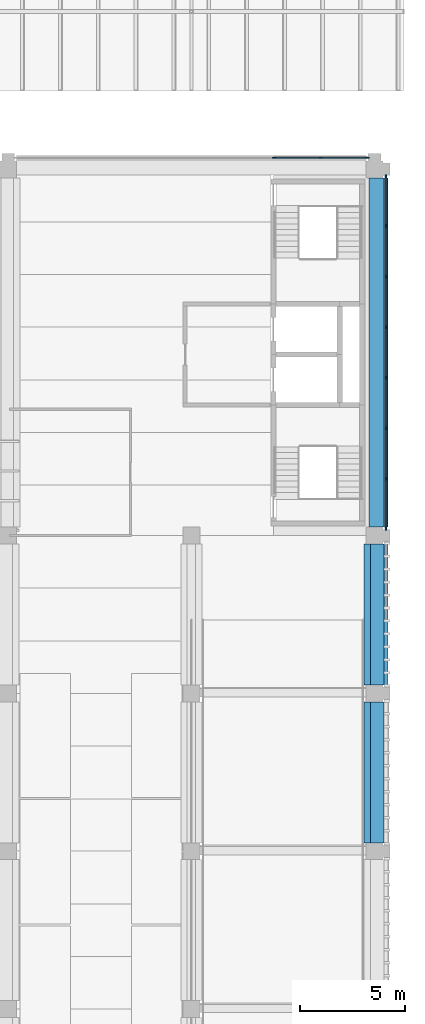
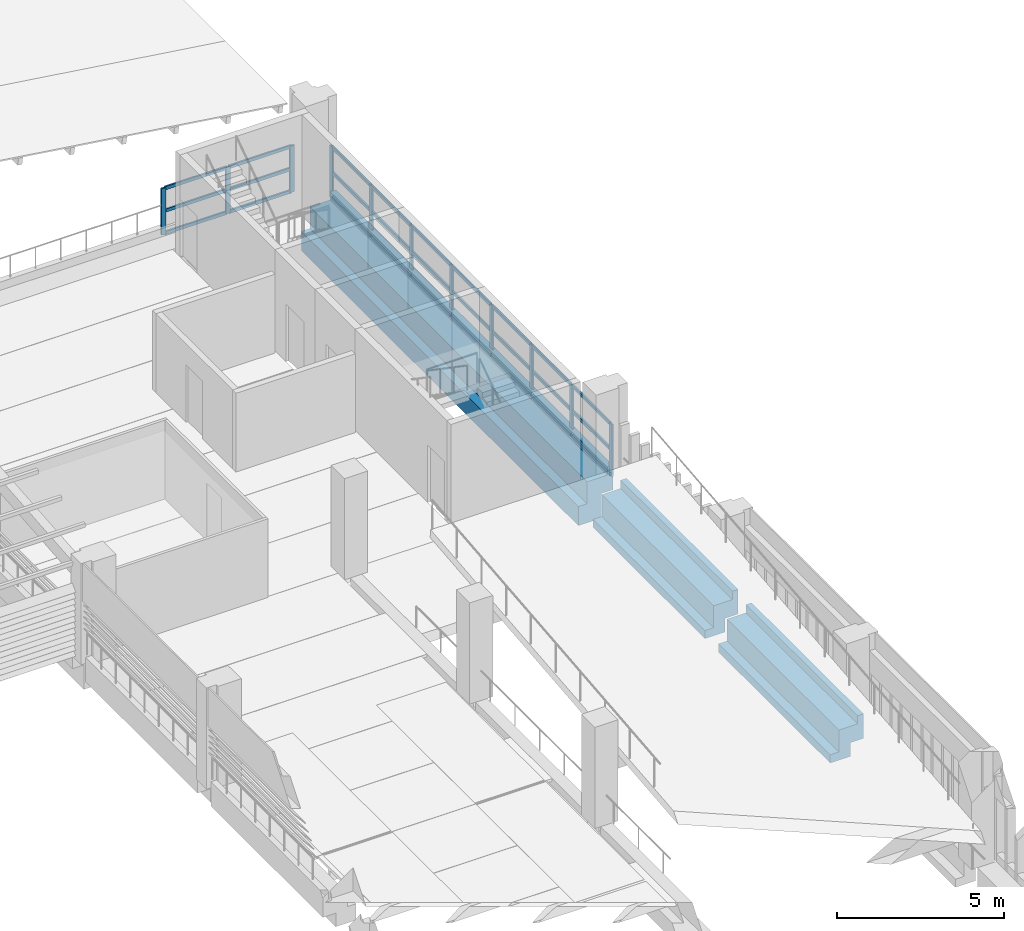
# One storey, part 15 of 52: 38 members, 3 beams, 2 elements without a shape of their own.
"""IFC4 building model written with IfcOpenShell, lengths in metres."""

from ifc_helpers import new_model, si_unit, direction, frame, origin, origin_2d, place, context, subcontext, project, spatial, polyline, rectangle, outline, extrude, material, layer, layer_set, material_profile, profile_set, type_object, element, aggregate, save


model = new_model("IFC4")

# Units and contexts
model_context = context("Model", 3, precision=1e-05, world=origin(), true_north=direction((0.0, 1.0)))
body_context = subcontext(model_context, "Body", "Model", "MODEL_VIEW")
ifc_project = project(units=[si_unit("LENGTHUNIT", "METRE"), si_unit("AREAUNIT", "SQUARE_METRE"), si_unit("VOLUMEUNIT", "CUBIC_METRE"), si_unit("PLANEANGLEUNIT", "RADIAN"), si_unit("MASSUNIT", "GRAM", prefix="KILO")], contexts=[model_context])

# Site, building, storey
site_placement = place(None, origin())
site = spatial("IfcSite", under=ifc_project, at=site_placement, CompositionType="ELEMENT")
building_placement = place(site_placement, origin())
building = spatial("IfcBuilding", under=site, at=building_placement, Name="Cour d'Honneur Mobility Palace", CompositionType="ELEMENT")
storey_placement = place(building_placement, frame((0.0, 0.0, 23.0)))
storey = spatial("IfcBuildingStorey", under=building, at=storey_placement, Name="L06", CompositionType="ELEMENT", Elevation=23.0)

# Curtain wall, members
ifc_material_1 = material(Name="Aluminium and glass", Category="aluminium")
ifc_layer = layer(ifc_material_1, 0.10009765625)
ifc_layer_set = layer_set([ifc_layer], Name="Aluminium and glass")
curtain_wall_type = type_object("IfcCurtainWallType", Name="Curtain wall run", PredefinedType="NOTDEFINED", material=ifc_layer_set)
curtain_wall_1_placement = place(storey_placement, origin())
curtain_wall_1 = element("IfcCurtainWall", 1, at=curtain_wall_1_placement, inside=storey, type_object=curtain_wall_type, Name="Curtain wall CW-93", PredefinedType="NOTDEFINED")
ifc_material_2 = material(Name="Aluminium", Category="aluminium")
ifc_material_profile_1 = material_profile(ifc_material_2, rectangle(XDim=0.06005859375, YDim=0.159912109375, at=origin_2d()), Name="Curtain wall mullion")
ifc_profile_set_1 = profile_set([ifc_material_profile_1], Name="Aluminium")
member_type_1 = type_object("IfcMemberType", Name="Curtain wall mullion", PredefinedType="MULLION", material=ifc_profile_set_1)
member_1_placement = place(storey_placement, frame((162.85009765625, 45.330078125, 0.0), z_axis=(0.0, 0.0, 1.0), x_axis=(-1.0, 0.0, 0.0)))
member_1 = element("IfcMember", 2, at=member_1_placement, type_object=member_type_1, Name="CW-93 mullion 1", PredefinedType="MULLION", context=body_context, shape_type="SweptSolid", body=[
    extrude(rectangle(XDim=0.06005859375, YDim=0.159912109375, at=origin_2d()), origin(), (0.0, 0.0, 1.0), 1.89990234375),
])
member_2_placement = place(storey_placement, frame((162.85009765625, 47.699951171875, 0.0), z_axis=(0.0, 0.0, 1.0), x_axis=(-1.0, 0.0, 0.0)))
member_2 = element("IfcMember", 3, at=member_2_placement, type_object=member_type_1, Name="CW-93 mullion 2", PredefinedType="MULLION", context=body_context, shape_type="SweptSolid", body=[
    extrude(rectangle(XDim=0.06005859375, YDim=0.159912109375, at=origin_2d()), origin(), (0.0, 0.0, 1.0), 1.89990234375),
])
member_3_placement = place(storey_placement, frame((162.85009765625, 50.10009765625, 0.0), z_axis=(0.0, 0.0, 1.0), x_axis=(-1.0, 0.0, 0.0)))
member_3 = element("IfcMember", 4, at=member_3_placement, type_object=member_type_1, Name="CW-93 mullion 3", PredefinedType="MULLION", context=body_context, shape_type="SweptSolid", body=[
    extrude(rectangle(XDim=0.06005859375, YDim=0.159912109375, at=origin_2d()), origin(), (0.0, 0.0, 1.0), 1.89990234375),
])
member_4_placement = place(storey_placement, frame((162.85009765625, 52.5, 0.0), z_axis=(0.0, 0.0, 1.0), x_axis=(-1.0, 0.0, 0.0)))
member_4 = element("IfcMember", 5, at=member_4_placement, type_object=member_type_1, Name="CW-93 mullion 4", PredefinedType="MULLION", context=body_context, shape_type="SweptSolid", body=[
    extrude(rectangle(XDim=0.06005859375, YDim=0.159912109375, at=origin_2d()), origin(), (0.0, 0.0, 1.0), 1.89990234375),
])
member_5_placement = place(storey_placement, frame((162.85009765625, 54.89990234375, 0.0), z_axis=(0.0, 0.0, 1.0), x_axis=(-1.0, 0.0, 0.0)))
member_5 = element("IfcMember", 6, at=member_5_placement, type_object=member_type_1, Name="CW-93 mullion 5", PredefinedType="MULLION", context=body_context, shape_type="SweptSolid", body=[
    extrude(rectangle(XDim=0.06005859375, YDim=0.159912109375, at=origin_2d()), origin(), (0.0, 0.0, 1.0), 1.89990234375),
])
member_6_placement = place(storey_placement, frame((162.85009765625, 57.300048828125, 0.0), z_axis=(0.0, 0.0, 1.0), x_axis=(-1.0, 0.0, 0.0)))
member_6 = element("IfcMember", 7, at=member_6_placement, type_object=member_type_1, Name="CW-93 mullion 6", PredefinedType="MULLION", context=body_context, shape_type="SweptSolid", body=[
    extrude(rectangle(XDim=0.06005859375, YDim=0.159912109375, at=origin_2d()), origin(), (0.0, 0.0, 1.0), 1.89990234375),
])
member_7_placement = place(storey_placement, frame((162.85009765625, 59.699951171875, 0.0), z_axis=(0.0, 0.0, 1.0), x_axis=(-1.0, 0.0, 0.0)))
member_7 = element("IfcMember", 8, at=member_7_placement, type_object=member_type_1, Name="CW-93 mullion 7", PredefinedType="MULLION", context=body_context, shape_type="SweptSolid", body=[
    extrude(rectangle(XDim=0.06005859375, YDim=0.159912109375, at=origin_2d()), origin(), (0.0, 0.0, 1.0), 1.89990234375),
])
member_8_placement = place(storey_placement, frame((162.85009765625, 62.070068359375, 0.0), z_axis=(0.0, 0.0, 1.0), x_axis=(-1.0, 0.0, 0.0)))
member_8 = element("IfcMember", 9, at=member_8_placement, type_object=member_type_1, Name="CW-93 mullion 8", PredefinedType="MULLION", context=body_context, shape_type="SweptSolid", body=[
    extrude(rectangle(XDim=0.06005859375, YDim=0.159912109375, at=origin_2d()), origin(), (0.0, 0.0, 1.0), 1.89990234375),
])

curtain_wall_2_placement = place(storey_placement, origin())
curtain_wall_2 = element("IfcCurtainWall", 10, at=curtain_wall_2_placement, inside=storey, type_object=curtain_wall_type, Name="Curtain wall CW-94", PredefinedType="NOTDEFINED")
member_9_placement = place(storey_placement, frame((161.969970703125, 62.949951171875, 0.0), z_axis=(0.0, 0.0, 1.0), x_axis=(0.0, -1.0, 0.0)))
member_9 = element("IfcMember", 11, at=member_9_placement, type_object=member_type_1, Name="CW-94 mullion 1", PredefinedType="MULLION", context=body_context, shape_type="SweptSolid", body=[
    extrude(rectangle(XDim=0.06005859375, YDim=0.159912109375, at=origin_2d()), origin(), (0.0, 0.0, 1.0), 1.699951171875),
])
member_10_placement = place(storey_placement, frame((159.75, 62.949951171875, 0.0), z_axis=(0.0, 0.0, 1.0), x_axis=(0.0, -1.0, 0.0)))
member_10 = element("IfcMember", 12, at=member_10_placement, type_object=member_type_1, Name="CW-94 mullion 2", PredefinedType="MULLION", context=body_context, shape_type="SweptSolid", body=[
    extrude(rectangle(XDim=0.06005859375, YDim=0.159912109375, at=origin_2d()), origin(), (0.0, 0.0, 1.0), 1.699951171875),
])
member_11_placement = place(storey_placement, frame((157.530029296875, 62.949951171875, 0.0), z_axis=(0.0, 0.0, 1.0), x_axis=(0.0, -1.0, 0.0)))
member_11 = element("IfcMember", 13, at=member_11_placement, type_object=member_type_1, Name="CW-94 mullion 3", PredefinedType="MULLION", context=body_context, shape_type="SweptSolid", body=[
    extrude(rectangle(XDim=0.06005859375, YDim=0.159912109375, at=origin_2d()), origin(), (0.0, 0.0, 1.0), 1.699951171875),
])

# Member
ifc_material_3 = material(Name="Aluminium", Category="aluminium")
ifc_material_profile_2 = material_profile(ifc_material_3, rectangle(XDim=0.06005859375, YDim=0.1201171875, at=origin_2d()), Name="Curtain wall transom")
ifc_profile_set_2 = profile_set([ifc_material_profile_2], Name="Aluminium")
member_type_2 = type_object("IfcMemberType", Name="Curtain wall transom", PredefinedType="USERDEFINED", material=ifc_profile_set_2)
member_12_placement = place(storey_placement, frame((162.85009765625, 45.360107421875, 0.030029296875), z_axis=(0.0, 1.0, 0.0), x_axis=(-1.0, 0.0, 0.0)))
member_12 = element("IfcMember", 14, at=member_12_placement, type_object=member_type_2, Name="CW-93 transom 1.1", ObjectType="TRANSOM", PredefinedType="USERDEFINED", context=body_context, shape_type="SweptSolid", body=[
    extrude(rectangle(XDim=0.06005859375, YDim=0.1201171875, at=origin_2d()), origin(), (0.0, 0.0, 1.0), 2.309814453125),
])

member_13_placement = place(storey_placement, frame((162.85009765625, 45.360107421875, 0.949951171875), z_axis=(0.0, 1.0, 0.0), x_axis=(-1.0, 0.0, 0.0)))
member_13 = element("IfcMember", 15, at=member_13_placement, type_object=member_type_2, Name="CW-93 transom 1.2", ObjectType="TRANSOM", PredefinedType="USERDEFINED", context=body_context, shape_type="SweptSolid", body=[
    extrude(rectangle(XDim=0.06005859375, YDim=0.1201171875, at=origin_2d()), origin(), (0.0, 0.0, 1.0), 2.309814453125),
])

member_14_placement = place(storey_placement, frame((162.85009765625, 45.360107421875, 1.8701171875), z_axis=(0.0, 1.0, 0.0), x_axis=(-1.0, 0.0, 0.0)))
member_14 = element("IfcMember", 16, at=member_14_placement, type_object=member_type_2, Name="CW-93 transom 1.3", ObjectType="TRANSOM", PredefinedType="USERDEFINED", context=body_context, shape_type="SweptSolid", body=[
    extrude(rectangle(XDim=0.06005859375, YDim=0.1201171875, at=origin_2d()), origin(), (0.0, 0.0, 1.0), 2.309814453125),
])

member_15_placement = place(storey_placement, frame((162.85009765625, 47.72998046875, 0.030029296875), z_axis=(0.0, 1.0, 0.0), x_axis=(-1.0, 0.0, 0.0)))
member_15 = element("IfcMember", 17, at=member_15_placement, type_object=member_type_2, Name="CW-93 transom 2.1", ObjectType="TRANSOM", PredefinedType="USERDEFINED", context=body_context, shape_type="SweptSolid", body=[
    extrude(rectangle(XDim=0.06005859375, YDim=0.1201171875, at=origin_2d()), origin(), (0.0, 0.0, 1.0), 2.340087890625),
])

member_16_placement = place(storey_placement, frame((162.85009765625, 47.72998046875, 0.949951171875), z_axis=(0.0, 1.0, 0.0), x_axis=(-1.0, 0.0, 0.0)))
member_16 = element("IfcMember", 18, at=member_16_placement, type_object=member_type_2, Name="CW-93 transom 2.2", ObjectType="TRANSOM", PredefinedType="USERDEFINED", context=body_context, shape_type="SweptSolid", body=[
    extrude(rectangle(XDim=0.06005859375, YDim=0.1201171875, at=origin_2d()), origin(), (0.0, 0.0, 1.0), 2.340087890625),
])

member_17_placement = place(storey_placement, frame((162.85009765625, 47.72998046875, 1.8701171875), z_axis=(0.0, 1.0, 0.0), x_axis=(-1.0, 0.0, 0.0)))
member_17 = element("IfcMember", 19, at=member_17_placement, type_object=member_type_2, Name="CW-93 transom 2.3", ObjectType="TRANSOM", PredefinedType="USERDEFINED", context=body_context, shape_type="SweptSolid", body=[
    extrude(rectangle(XDim=0.06005859375, YDim=0.1201171875, at=origin_2d()), origin(), (0.0, 0.0, 1.0), 2.340087890625),
])

member_18_placement = place(storey_placement, frame((162.85009765625, 50.1298828125, 0.030029296875), z_axis=(0.0, 1.0, 0.0), x_axis=(-1.0, 0.0, 0.0)))
member_18 = element("IfcMember", 20, at=member_18_placement, type_object=member_type_2, Name="CW-93 transom 3.1", ObjectType="TRANSOM", PredefinedType="USERDEFINED", context=body_context, shape_type="SweptSolid", body=[
    extrude(rectangle(XDim=0.06005859375, YDim=0.1201171875, at=origin_2d()), origin(), (0.0, 0.0, 1.0), 2.340087890625),
])

member_19_placement = place(storey_placement, frame((162.85009765625, 50.1298828125, 0.949951171875), z_axis=(0.0, 1.0, 0.0), x_axis=(-1.0, 0.0, 0.0)))
member_19 = element("IfcMember", 21, at=member_19_placement, type_object=member_type_2, Name="CW-93 transom 3.2", ObjectType="TRANSOM", PredefinedType="USERDEFINED", context=body_context, shape_type="SweptSolid", body=[
    extrude(rectangle(XDim=0.06005859375, YDim=0.1201171875, at=origin_2d()), origin(), (0.0, 0.0, 1.0), 2.340087890625),
])

member_20_placement = place(storey_placement, frame((162.85009765625, 50.1298828125, 1.8701171875), z_axis=(0.0, 1.0, 0.0), x_axis=(-1.0, 0.0, 0.0)))
member_20 = element("IfcMember", 22, at=member_20_placement, type_object=member_type_2, Name="CW-93 transom 3.3", ObjectType="TRANSOM", PredefinedType="USERDEFINED", context=body_context, shape_type="SweptSolid", body=[
    extrude(rectangle(XDim=0.06005859375, YDim=0.1201171875, at=origin_2d()), origin(), (0.0, 0.0, 1.0), 2.340087890625),
])

member_21_placement = place(storey_placement, frame((162.85009765625, 52.530029296875, 0.030029296875), z_axis=(0.0, 1.0, 0.0), x_axis=(-1.0, 0.0, 0.0)))
member_21 = element("IfcMember", 23, at=member_21_placement, type_object=member_type_2, Name="CW-93 transom 4.1", ObjectType="TRANSOM", PredefinedType="USERDEFINED", context=body_context, shape_type="SweptSolid", body=[
    extrude(rectangle(XDim=0.06005859375, YDim=0.1201171875, at=origin_2d()), origin(), (0.0, 0.0, 1.0), 2.340087890625),
])

member_22_placement = place(storey_placement, frame((162.85009765625, 52.530029296875, 0.949951171875), z_axis=(0.0, 1.0, 0.0), x_axis=(-1.0, 0.0, 0.0)))
member_22 = element("IfcMember", 24, at=member_22_placement, type_object=member_type_2, Name="CW-93 transom 4.2", ObjectType="TRANSOM", PredefinedType="USERDEFINED", context=body_context, shape_type="SweptSolid", body=[
    extrude(rectangle(XDim=0.06005859375, YDim=0.1201171875, at=origin_2d()), origin(), (0.0, 0.0, 1.0), 2.340087890625),
])

member_23_placement = place(storey_placement, frame((162.85009765625, 52.530029296875, 1.8701171875), z_axis=(0.0, 1.0, 0.0), x_axis=(-1.0, 0.0, 0.0)))
member_23 = element("IfcMember", 25, at=member_23_placement, type_object=member_type_2, Name="CW-93 transom 4.3", ObjectType="TRANSOM", PredefinedType="USERDEFINED", context=body_context, shape_type="SweptSolid", body=[
    extrude(rectangle(XDim=0.06005859375, YDim=0.1201171875, at=origin_2d()), origin(), (0.0, 0.0, 1.0), 2.340087890625),
])

member_24_placement = place(storey_placement, frame((162.85009765625, 54.929931640625, 0.030029296875), z_axis=(0.0, 1.0, 0.0), x_axis=(-1.0, 0.0, 0.0)))
member_24 = element("IfcMember", 26, at=member_24_placement, type_object=member_type_2, Name="CW-93 transom 5.1", ObjectType="TRANSOM", PredefinedType="USERDEFINED", context=body_context, shape_type="SweptSolid", body=[
    extrude(rectangle(XDim=0.06005859375, YDim=0.1201171875, at=origin_2d()), origin(), (0.0, 0.0, 1.0), 2.340087890625),
])

member_25_placement = place(storey_placement, frame((162.85009765625, 54.929931640625, 0.949951171875), z_axis=(0.0, 1.0, 0.0), x_axis=(-1.0, 0.0, 0.0)))
member_25 = element("IfcMember", 27, at=member_25_placement, type_object=member_type_2, Name="CW-93 transom 5.2", ObjectType="TRANSOM", PredefinedType="USERDEFINED", context=body_context, shape_type="SweptSolid", body=[
    extrude(rectangle(XDim=0.06005859375, YDim=0.1201171875, at=origin_2d()), origin(), (0.0, 0.0, 1.0), 2.340087890625),
])

member_26_placement = place(storey_placement, frame((162.85009765625, 54.929931640625, 1.8701171875), z_axis=(0.0, 1.0, 0.0), x_axis=(-1.0, 0.0, 0.0)))
member_26 = element("IfcMember", 28, at=member_26_placement, type_object=member_type_2, Name="CW-93 transom 5.3", ObjectType="TRANSOM", PredefinedType="USERDEFINED", context=body_context, shape_type="SweptSolid", body=[
    extrude(rectangle(XDim=0.06005859375, YDim=0.1201171875, at=origin_2d()), origin(), (0.0, 0.0, 1.0), 2.340087890625),
])

member_27_placement = place(storey_placement, frame((162.85009765625, 57.330078125, 0.030029296875), z_axis=(0.0, 1.0, 0.0), x_axis=(-1.0, 0.0, 0.0)))
member_27 = element("IfcMember", 29, at=member_27_placement, type_object=member_type_2, Name="CW-93 transom 6.1", ObjectType="TRANSOM", PredefinedType="USERDEFINED", context=body_context, shape_type="SweptSolid", body=[
    extrude(rectangle(XDim=0.06005859375, YDim=0.1201171875, at=origin_2d()), origin(), (0.0, 0.0, 1.0), 2.33984375),
])

member_28_placement = place(storey_placement, frame((162.85009765625, 57.330078125, 0.949951171875), z_axis=(0.0, 1.0, 0.0), x_axis=(-1.0, 0.0, 0.0)))
member_28 = element("IfcMember", 30, at=member_28_placement, type_object=member_type_2, Name="CW-93 transom 6.2", ObjectType="TRANSOM", PredefinedType="USERDEFINED", context=body_context, shape_type="SweptSolid", body=[
    extrude(rectangle(XDim=0.06005859375, YDim=0.1201171875, at=origin_2d()), origin(), (0.0, 0.0, 1.0), 2.33984375),
])

member_29_placement = place(storey_placement, frame((162.85009765625, 57.330078125, 1.8701171875), z_axis=(0.0, 1.0, 0.0), x_axis=(-1.0, 0.0, 0.0)))
member_29 = element("IfcMember", 31, at=member_29_placement, type_object=member_type_2, Name="CW-93 transom 6.3", ObjectType="TRANSOM", PredefinedType="USERDEFINED", context=body_context, shape_type="SweptSolid", body=[
    extrude(rectangle(XDim=0.06005859375, YDim=0.1201171875, at=origin_2d()), origin(), (0.0, 0.0, 1.0), 2.33984375),
])

member_30_placement = place(storey_placement, frame((162.85009765625, 59.72998046875, 0.030029296875), z_axis=(0.0, 1.0, 0.0), x_axis=(-1.0, 0.0, 0.0)))
member_30 = element("IfcMember", 32, at=member_30_placement, type_object=member_type_2, Name="CW-93 transom 7.1", ObjectType="TRANSOM", PredefinedType="USERDEFINED", context=body_context, shape_type="SweptSolid", body=[
    extrude(rectangle(XDim=0.06005859375, YDim=0.1201171875, at=origin_2d()), origin(), (0.0, 0.0, 1.0), 2.31005859375),
])

member_31_placement = place(storey_placement, frame((162.85009765625, 59.72998046875, 0.949951171875), z_axis=(0.0, 1.0, 0.0), x_axis=(-1.0, 0.0, 0.0)))
member_31 = element("IfcMember", 33, at=member_31_placement, type_object=member_type_2, Name="CW-93 transom 7.2", ObjectType="TRANSOM", PredefinedType="USERDEFINED", context=body_context, shape_type="SweptSolid", body=[
    extrude(rectangle(XDim=0.06005859375, YDim=0.1201171875, at=origin_2d()), origin(), (0.0, 0.0, 1.0), 2.31005859375),
])

member_32_placement = place(storey_placement, frame((162.85009765625, 59.72998046875, 1.8701171875), z_axis=(0.0, 1.0, 0.0), x_axis=(-1.0, 0.0, 0.0)))
member_32 = element("IfcMember", 34, at=member_32_placement, type_object=member_type_2, Name="CW-93 transom 7.3", ObjectType="TRANSOM", PredefinedType="USERDEFINED", context=body_context, shape_type="SweptSolid", body=[
    extrude(rectangle(XDim=0.06005859375, YDim=0.1201171875, at=origin_2d()), origin(), (0.0, 0.0, 1.0), 2.31005859375),
])

aggregate(curtain_wall_1, [member_1, member_2, member_3, member_4, member_5, member_6, member_7, member_8, member_12, member_13, member_14, member_15, member_16, member_17, member_18, member_19, member_20, member_21, member_22, member_23, member_24, member_25, member_26, member_27, member_28, member_29, member_30, member_31, member_32])

member_33_placement = place(storey_placement, frame((161.93994140625, 62.949951171875, 0.030029296875), z_axis=(-1.0, 0.0, 0.0), x_axis=(0.0, -1.0, 0.0)))
member_33 = element("IfcMember", 35, at=member_33_placement, type_object=member_type_2, Name="CW-94 transom 1.1", ObjectType="TRANSOM", PredefinedType="USERDEFINED", context=body_context, shape_type="SweptSolid", body=[
    extrude(rectangle(XDim=0.06005859375, YDim=0.1201171875, at=origin_2d()), origin(), (0.0, 0.0, 1.0), 2.159912109375),
])

member_34_placement = place(storey_placement, frame((161.93994140625, 62.949951171875, 0.85009765625), z_axis=(-1.0, 0.0, 0.0), x_axis=(0.0, -1.0, 0.0)))
member_34 = element("IfcMember", 36, at=member_34_placement, type_object=member_type_2, Name="CW-94 transom 1.2", ObjectType="TRANSOM", PredefinedType="USERDEFINED", context=body_context, shape_type="SweptSolid", body=[
    extrude(rectangle(XDim=0.06005859375, YDim=0.1201171875, at=origin_2d()), origin(), (0.0, 0.0, 1.0), 2.159912109375),
])

member_35_placement = place(storey_placement, frame((161.93994140625, 62.949951171875, 1.669921875), z_axis=(-1.0, 0.0, 0.0), x_axis=(0.0, -1.0, 0.0)))
member_35 = element("IfcMember", 37, at=member_35_placement, type_object=member_type_2, Name="CW-94 transom 1.3", ObjectType="TRANSOM", PredefinedType="USERDEFINED", context=body_context, shape_type="SweptSolid", body=[
    extrude(rectangle(XDim=0.06005859375, YDim=0.1201171875, at=origin_2d()), origin(), (0.0, 0.0, 1.0), 2.159912109375),
])

member_36_placement = place(storey_placement, frame((159.719970703125, 62.949951171875, 0.030029296875), z_axis=(-1.0, 0.0, 0.0), x_axis=(0.0, -1.0, 0.0)))
member_36 = element("IfcMember", 38, at=member_36_placement, type_object=member_type_2, Name="CW-94 transom 2.1", ObjectType="TRANSOM", PredefinedType="USERDEFINED", context=body_context, shape_type="SweptSolid", body=[
    extrude(rectangle(XDim=0.06005859375, YDim=0.1201171875, at=origin_2d()), origin(), (0.0, 0.0, 1.0), 2.159912109375),
])

member_37_placement = place(storey_placement, frame((159.719970703125, 62.949951171875, 0.85009765625), z_axis=(-1.0, 0.0, 0.0), x_axis=(0.0, -1.0, 0.0)))
member_37 = element("IfcMember", 39, at=member_37_placement, type_object=member_type_2, Name="CW-94 transom 2.2", ObjectType="TRANSOM", PredefinedType="USERDEFINED", context=body_context, shape_type="SweptSolid", body=[
    extrude(rectangle(XDim=0.06005859375, YDim=0.1201171875, at=origin_2d()), origin(), (0.0, 0.0, 1.0), 2.159912109375),
])

member_38_placement = place(storey_placement, frame((159.719970703125, 62.949951171875, 1.669921875), z_axis=(-1.0, 0.0, 0.0), x_axis=(0.0, -1.0, 0.0)))
member_38 = element("IfcMember", 40, at=member_38_placement, type_object=member_type_2, Name="CW-94 transom 2.3", ObjectType="TRANSOM", PredefinedType="USERDEFINED", context=body_context, shape_type="SweptSolid", body=[
    extrude(rectangle(XDim=0.06005859375, YDim=0.1201171875, at=origin_2d()), origin(), (0.0, 0.0, 1.0), 2.159912109375),
])

aggregate(curtain_wall_2, [member_9, member_10, member_11, member_33, member_34, member_35, member_36, member_37, member_38])

# Beams
ifc_material_4 = material(Name="Concrete C45", Category="concrete")
ifc_material_profile_3 = material_profile(ifc_material_4, outline(polyline([(0.5, -1.10009765625), (0.5, -0.800048828125), (0.199951171875, -0.800048828125), (0.199951171875, 0.0), (-0.199951171875, 0.0), (-0.449951171875, 0.0), (-0.449951171875, 0.300048828125), (-0.64990234375, 0.300048828125), (-0.64990234375, -0.60009765625), (-0.199951171875, -0.60009765625), (-0.199951171875, -1.10009765625), (0.5, -1.10009765625)])), Name="Ledger Beam 400x1100 ledge left 300 facade right")
ifc_profile_set_3 = profile_set([ifc_material_profile_3], Name="Concrete C45")
beam_type_1 = type_object("IfcBeamType", Name="Ledger Beam 400x1100 ledge left 300 facade right", PredefinedType="BEAM", material=ifc_profile_set_3)
for number, where, z_axis, x_axis, name in (
    (41, (162.300048828125, 30.39990234375, 0.0), (0.0, 1.0, 0.0), (-1.0, 0.0, 0.0), "Precast beam B3 E-F L06"),
    (42, (162.300048828125, 37.89990234375, 0.0), (0.0, 1.0, 0.0), (-1.0, 0.0, 0.0), "Precast beam B3 F-G L06"),
):
    element("IfcBeam", number, at=place(storey_placement, frame(where, z_axis=z_axis, x_axis=x_axis)), inside=storey, type_object=beam_type_1, Name=name, PredefinedType="BEAM", context=body_context, shape_type="SweptSolid", body=[
        extrude(outline(polyline([(0.5, -1.10009765625), (0.5, -0.800048828125), (0.199951171875, -0.800048828125), (0.199951171875, 0.0), (-0.199951171875, 0.0), (-0.449951171875, 0.0), (-0.449951171875, 0.300048828125), (-0.64990234375, 0.300048828125), (-0.64990234375, -0.60009765625), (-0.199951171875, -0.60009765625), (-0.199951171875, -1.10009765625), (0.5, -1.10009765625)])), origin(), (0.0, 0.0, 1.0), 6.7001953125),
    ])
ifc_material_5 = material(Name="Concrete C45", Category="concrete")
ifc_material_profile_4 = material_profile(ifc_material_5, outline(polyline([(0.550048828125, -1.5), (0.550048828125, -0.800048828125), (0.25, -0.800048828125), (0.25, 0.0), (-0.25, 0.0), (-0.449951171875, 0.0), (-0.449951171875, 0.300048828125), (-0.64990234375, 0.300048828125), (-0.64990234375, -0.60009765625), (-0.25, -0.60009765625), (-0.25, -1.5), (0.550048828125, -1.5)])), Name="Ledger Beam 500x1500 ledge left 700 facade right")
ifc_profile_set_4 = profile_set([ifc_material_profile_4], Name="Concrete C45")
beam_type_2 = type_object("IfcBeamType", Name="Ledger Beam 500x1500 ledge left 700 facade right", PredefinedType="BEAM", material=ifc_profile_set_4)
beam_placement = place(storey_placement, frame((162.300048828125, 45.39990234375, 0.0), z_axis=(0.0, 1.0, 0.0), x_axis=(-1.0, 0.0, 0.0)))
element("IfcBeam", 43, at=beam_placement, inside=storey, type_object=beam_type_2, Name="Precast beam B21 G-H L06", PredefinedType="BEAM", context=body_context, shape_type="SweptSolid", body=[
    extrude(outline(polyline([(0.550048828125, -1.5), (0.550048828125, -0.800048828125), (0.25, -0.800048828125), (0.25, 0.0), (-0.25, 0.0), (-0.449951171875, 0.0), (-0.449951171875, 0.300048828125), (-0.64990234375, 0.300048828125), (-0.64990234375, -0.60009765625), (-0.25, -0.60009765625), (-0.25, -1.5), (0.550048828125, -1.5)])), origin(), (0.0, 0.0, 1.0), 16.60009765625),
])

save(model, "model.ifc")
